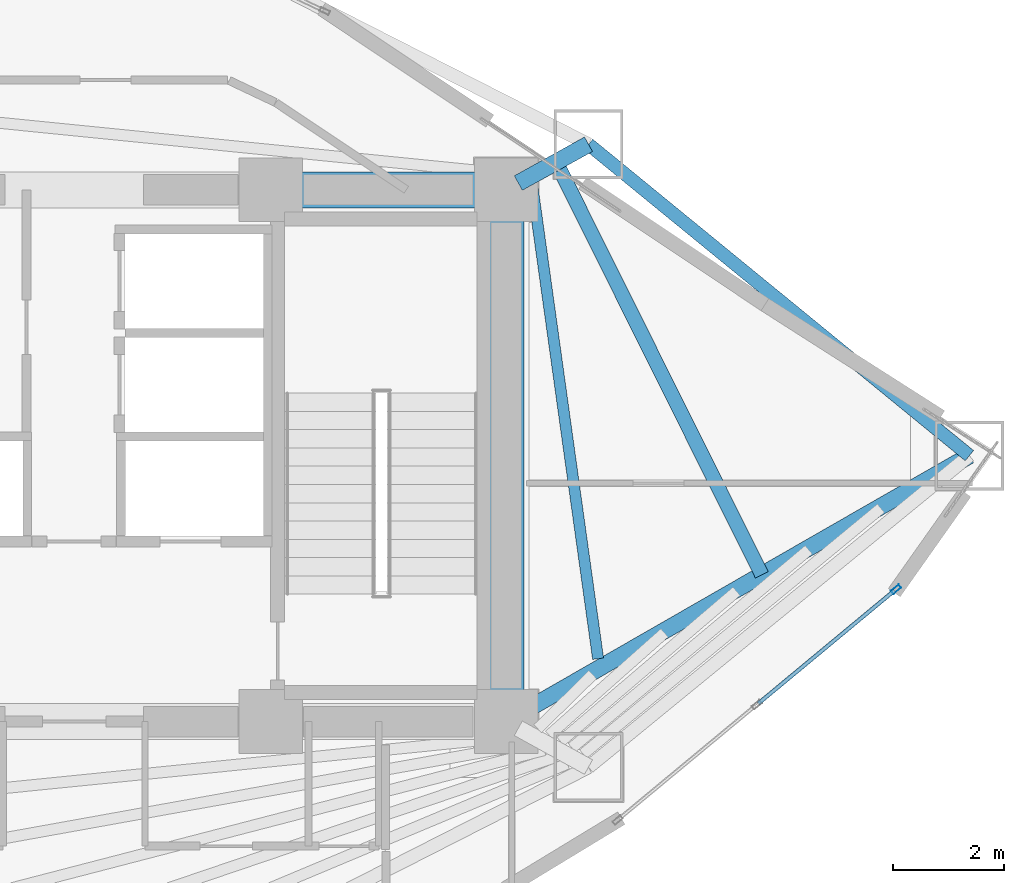
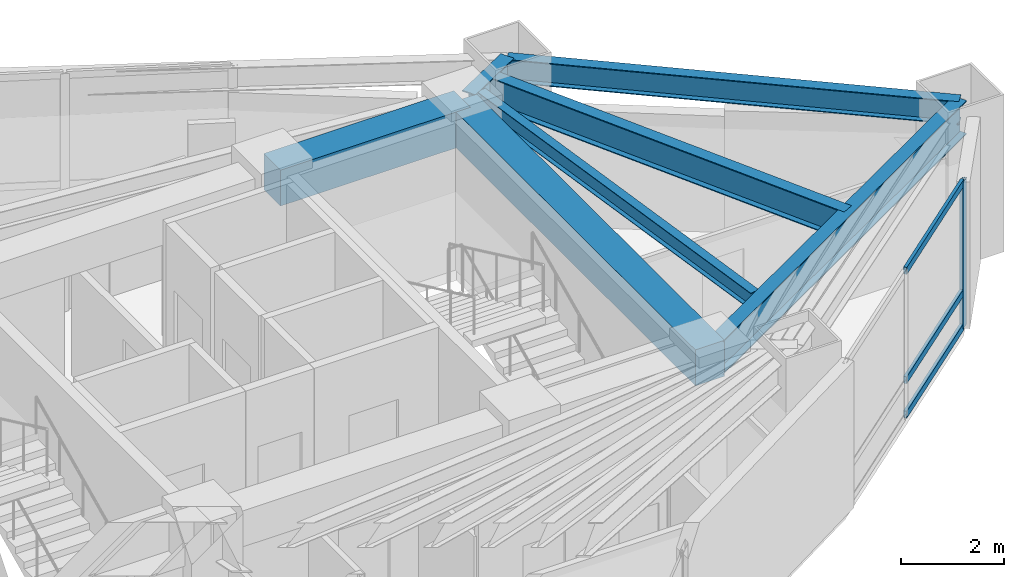
# One storey, part 17 of 23: 7 beams, 4 members, 1 element without a shape of its own.
"""IFC4 building model written with IfcOpenShell, lengths in metres."""

from ifc_helpers import new_model, si_unit, direction, frame, origin, origin_2d, place, context, subcontext, project, spatial, rectangle, hollow_rectangle, i_section, extrude, material, layer, layer_set, material_profile, profile_set, type_object, element, aggregate, save


model = new_model("IFC4")

# Units and contexts
model_context = context("Model", 3, precision=1e-05, world=origin(), true_north=direction((0.0, 1.0)))
body_context = subcontext(model_context, "Body", "Model", "MODEL_VIEW")
ifc_project = project(units=[si_unit("LENGTHUNIT", "METRE"), si_unit("AREAUNIT", "SQUARE_METRE"), si_unit("VOLUMEUNIT", "CUBIC_METRE"), si_unit("PLANEANGLEUNIT", "RADIAN"), si_unit("MASSUNIT", "GRAM", prefix="KILO")], contexts=[model_context])

# Site, building, storey
site_placement = place(None, origin())
site = spatial("IfcSite", under=ifc_project, at=site_placement, CompositionType="ELEMENT")
building_placement = place(site_placement, origin())
building = spatial("IfcBuilding", under=site, at=building_placement, Name="Menara Vayukalpa", CompositionType="ELEMENT")
storey_placement = place(building_placement, frame((0.0, 0.0, 107.699951171875)))
storey = spatial("IfcBuildingStorey", under=building, at=storey_placement, Name="L26", CompositionType="ELEMENT", Elevation=107.699951171875)

# Beams
ifc_material_1 = material(Name="Concrete C60/75", Category="concrete")
ifc_material_profile_1 = material_profile(ifc_material_1, rectangle(XDim=0.64990234375, YDim=0.85009765625, at=origin_2d()), Name="RC 650x850")
ifc_profile_set_1 = profile_set([ifc_material_profile_1], Name="Concrete C60/75")
beam_type_1 = type_object("IfcBeamType", Name="BM-CB1", PredefinedType="BEAM", material=ifc_profile_set_1)
beam_1_placement = place(storey_placement, frame((29.14990234375, 26.800048828125, 3.045166015625), z_axis=(1.0, 0.0, 0.0), x_axis=(0.0, 1.0, 0.0)))
element("IfcBeam", 1, at=beam_1_placement, inside=storey, type_object=beam_type_1, Name="L26 Core Tie Beam CBR6", PredefinedType="BEAM", context=body_context, shape_type="SweptSolid", body=[
    extrude(rectangle(XDim=0.64990234375, YDim=0.85009765625, at=origin_2d()), origin(), (0.0, 0.0, 1.0), 4.25),
])
beam_2_placement = place(storey_placement, frame((33.39990234375, 17.199951171875, 3.045166015625), z_axis=(0.0, 1.0, 0.0), x_axis=(-1.0, 0.0, 0.0)))
element("IfcBeam", 2, at=beam_2_placement, inside=storey, type_object=beam_type_1, Name="L26 Core Tie Beam CBR8", PredefinedType="BEAM", context=body_context, shape_type="SweptSolid", body=[
    extrude(rectangle(XDim=0.64990234375, YDim=0.85009765625, at=origin_2d()), origin(), (0.0, 0.0, 1.0), 9.60009765625),
])
ifc_material_2 = material(Name="Steel S355", Category="steel")
ifc_material_profile_2 = material_profile(ifc_material_2, i_section(OverallWidth=0.300048828125, OverallDepth=0.800048828125, WebThickness=0.013916015625, FlangeThickness=0.02587890625, at=origin_2d()), Name="WF 800x300x14x26")
ifc_profile_set_2 = profile_set([ifc_material_profile_2], Name="Steel S355")
beam_type_2 = type_object("IfcBeamType", Name="BM-PG3", PredefinedType="BEAM", material=ifc_profile_set_2)
beam_3_placement = place(storey_placement, frame((33.61669921875, 17.324462890625, 3.070068359375), z_axis=(0.867273673572, 0.497831673488, 0.0), x_axis=(-0.497831673488, 0.867273673572, 0.0)))
element("IfcBeam", 3, at=beam_3_placement, inside=storey, type_object=beam_type_2, Name="L26 Primary Radial Girder RG01", PredefinedType="BEAM", context=body_context, shape_type="SweptSolid", body=[
    extrude(i_section(OverallWidth=0.300048828125, OverallDepth=0.800048828125, WebThickness=0.013916015625, FlangeThickness=0.02587890625, at=origin_2d()), origin(), (0.0, 0.0, 1.0), 9.391845703125),
])
beam_4_placement = place(storey_placement, frame((33.618896484375, 26.9208984375, 3.070068359375), z_axis=(0.875228391676, 0.48370989488, 0.0), x_axis=(-0.48370989488, 0.875228391676, 0.0)))
element("IfcBeam", 4, at=beam_4_placement, inside=storey, type_object=beam_type_2, Name="L26 Primary Radial Girder RG02", PredefinedType="BEAM", context=body_context, shape_type="SweptSolid", body=[
    extrude(i_section(OverallWidth=0.300048828125, OverallDepth=0.800048828125, WebThickness=0.013916015625, FlangeThickness=0.02587890625, at=origin_2d()), origin(), (0.0, 0.0, 1.0), 1.448486328125),
])
ifc_material_3 = material(Name="Steel S460", Category="steel")
ifc_material_profile_3 = material_profile(ifc_material_3, i_section(OverallWidth=0.260009765625, OverallDepth=0.679931640625, WebThickness=0.012939453125, FlangeThickness=0.02197265625, at=origin_2d()), Name="WF 680x260x13x22")
ifc_profile_set_3 = profile_set([ifc_material_profile_3], Name="Steel S460")
beam_type_3 = type_object("IfcBeamType", Name="BM-SBG1", PredefinedType="BEAM", material=ifc_profile_set_3)
beam_5_placement = place(storey_placement, frame((38.01513671875, 19.849365234375, 3.130126953125), z_axis=(-0.445934263538, 0.895065714126, 0.0), x_axis=(-0.895065714126, -0.445934263538, 0.0)))
element("IfcBeam", 5, at=beam_5_placement, inside=storey, type_object=beam_type_3, Name="L26 SB2 Sky Bar Interior Tie Beam", PredefinedType="BEAM", context=body_context, shape_type="SweptSolid", body=[
    extrude(i_section(OverallWidth=0.260009765625, OverallDepth=0.679931640625, WebThickness=0.012939453125, FlangeThickness=0.02197265625, at=origin_2d()), origin(), (0.0, 0.0, 1.0), 8.3232421875),
])
ifc_material_4 = material(Name="Steel S355", Category="steel")
ifc_material_profile_4 = material_profile(ifc_material_4, i_section(OverallWidth=0.199951171875, OverallDepth=0.39990234375, WebThickness=0.008056640625, FlangeThickness=0.012939453125, at=origin_2d()), Name="WF 400x200x8x13")
ifc_profile_set_4 = profile_set([ifc_material_profile_4], Name="Steel S355")
beam_type_4 = type_object("IfcBeamType", Name="BM-SJ2", PredefinedType="JOIST", material=ifc_profile_set_4)
beam_6_placement = place(storey_placement, frame((35.0595703125, 18.33447265625, 3.27001953125), z_axis=(-0.137826740717, 0.990456354184, 0.0), x_axis=(-0.990456354184, -0.137826740717, 0.0)))
element("IfcBeam", 6, at=beam_6_placement, inside=storey, type_object=beam_type_4, Name="L26 Secondary Floor Joist SJ01-1", PredefinedType="JOIST", context=body_context, shape_type="SweptSolid", body=[
    extrude(i_section(OverallWidth=0.199951171875, OverallDepth=0.39990234375, WebThickness=0.008056640625, FlangeThickness=0.012939453125, at=origin_2d()), origin(), (0.0, 0.0, 1.0), 8.62646484375),
])
ifc_material_5 = material(Name="Steel S355", Category="steel")
ifc_material_profile_5 = material_profile(ifc_material_5, i_section(OverallWidth=0.239990234375, OverallDepth=0.550048828125, WebThickness=0.010986328125, FlangeThickness=0.01904296875, at=origin_2d()), Name="WF 550x240x11x19")
ifc_profile_set_5 = profile_set([ifc_material_profile_5], Name="Steel S355")
beam_type_5 = type_object("IfcBeamType", Name="BM-SP2", PredefinedType="SPANDREL", material=ifc_profile_set_5)
beam_7_placement = place(storey_placement, frame((41.761962890625, 22.0, 3.195068359375), z_axis=(-0.774156906301, 0.632993747541, 0.0), x_axis=(-0.632993747541, -0.774156906301, 0.0)))
element("IfcBeam", 7, at=beam_7_placement, inside=storey, type_object=beam_type_5, Name="L26 Perimeter Spandrel Beam SP01", PredefinedType="SPANDREL", context=body_context, shape_type="SweptSolid", body=[
    extrude(i_section(OverallWidth=0.239990234375, OverallDepth=0.550048828125, WebThickness=0.010986328125, FlangeThickness=0.01904296875, at=origin_2d()), origin(), (0.0, 0.0, 1.0), 8.880859375),
])

# Curtain wall, members
ifc_material_6 = material(Name="Anodised Terracotta Aluminium Alloy 6063-T6", Category="masonry")
ifc_layer = layer(ifc_material_6, 0.179931640625)
ifc_layer_set = layer_set([ifc_layer], Name="Anodised Terracotta Aluminium Alloy 6063-T6")
curtain_wall_type = type_object("IfcCurtainWallType", Name="CW-CW4", PredefinedType="USERDEFINED", material=ifc_layer_set)
curtain_wall_placement = place(storey_placement, origin())
curtain_wall = element("IfcCurtainWall", 8, at=curtain_wall_placement, inside=storey, type_object=curtain_wall_type, Name="L26 Sky Bar Cantilever Glazed Curtain Wall CW4 19", ObjectType="UNITISED", PredefinedType="USERDEFINED")
ifc_material_7 = material(Name="Anodised Terracotta Aluminium Alloy 6063-T6", Category="masonry")
ifc_material_profile_6 = material_profile(ifc_material_7, hollow_rectangle(XDim=0.074951171875, YDim=0.179931640625, WallThickness=0.00390625, at=origin_2d()), Name="ALU 75x180x4")
ifc_profile_set_6 = profile_set([ifc_material_profile_6], Name="Anodised Terracotta Aluminium Alloy 6063-T6")
member_type_1 = type_object("IfcMemberType", Name="CWM-CW4", PredefinedType="MULLION", material=ifc_profile_set_6)
member_1_placement = place(storey_placement, frame((40.438720703125, 19.58837890625, 0.0), z_axis=(0.0, 0.0, 1.0), x_axis=(-0.638345501574, 0.769749972797, 0.0)))
member_1 = element("IfcMember", 9, at=member_1_placement, type_object=member_type_1, Name="CW4 mullion 3", PredefinedType="MULLION", context=body_context, shape_type="SweptSolid", body=[
    extrude(hollow_rectangle(XDim=0.074951171875, YDim=0.179931640625, WallThickness=0.00390625, at=origin_2d()), origin(), (0.0, 0.0, 1.0), 3.469970703125),
])
ifc_material_8 = material(Name="Anodised Terracotta Aluminium Alloy 6063-T6", Category="masonry")
ifc_material_profile_7 = material_profile(ifc_material_8, hollow_rectangle(XDim=0.070068359375, YDim=0.1650390625, WallThickness=0.00390625, at=origin_2d()), Name="ALU 70x165x4")
ifc_profile_set_7 = profile_set([ifc_material_profile_7], Name="Anodised Terracotta Aluminium Alloy 6063-T6")
member_type_2 = type_object("IfcMemberType", Name="CWT-CW4", PredefinedType="USERDEFINED", material=ifc_profile_set_7)
member_2_placement = place(storey_placement, frame((37.955810546875, 17.529052734375, 0.03515625), z_axis=(0.769712991682, 0.638390092683, 0.0), x_axis=(-0.638390092683, 0.769712991682, 0.0)))
member_2 = element("IfcMember", 10, at=member_2_placement, type_object=member_type_2, Name="CW4 transom 2.1", ObjectType="TRANSOM", PredefinedType="USERDEFINED", context=body_context, shape_type="SweptSolid", body=[
    extrude(hollow_rectangle(XDim=0.070068359375, YDim=0.1650390625, WallThickness=0.00390625, at=origin_2d()), origin(), (0.0, 0.0, 1.0), 3.188232421875),
])
member_3_placement = place(storey_placement, frame((37.955810546875, 17.529052734375, 0.85009765625), z_axis=(0.769712991682, 0.638390092683, 0.0), x_axis=(-0.638390092683, 0.769712991682, 0.0)))
member_3 = element("IfcMember", 11, at=member_3_placement, type_object=member_type_2, Name="CW4 transom 2.2", ObjectType="TRANSOM", PredefinedType="USERDEFINED", context=body_context, shape_type="SweptSolid", body=[
    extrude(hollow_rectangle(XDim=0.070068359375, YDim=0.1650390625, WallThickness=0.00390625, at=origin_2d()), origin(), (0.0, 0.0, 1.0), 3.188232421875),
])
member_4_placement = place(storey_placement, frame((37.955810546875, 17.529052734375, 3.43505859375), z_axis=(0.769712991682, 0.638390092683, 0.0), x_axis=(-0.638390092683, 0.769712991682, 0.0)))
member_4 = element("IfcMember", 12, at=member_4_placement, type_object=member_type_2, Name="CW4 transom 2.3", ObjectType="TRANSOM", PredefinedType="USERDEFINED", context=body_context, shape_type="SweptSolid", body=[
    extrude(hollow_rectangle(XDim=0.070068359375, YDim=0.1650390625, WallThickness=0.00390625, at=origin_2d()), origin(), (0.0, 0.0, 1.0), 3.188232421875),
])
aggregate(curtain_wall, [member_1, member_2, member_3, member_4])

save(model, "model.ifc")
